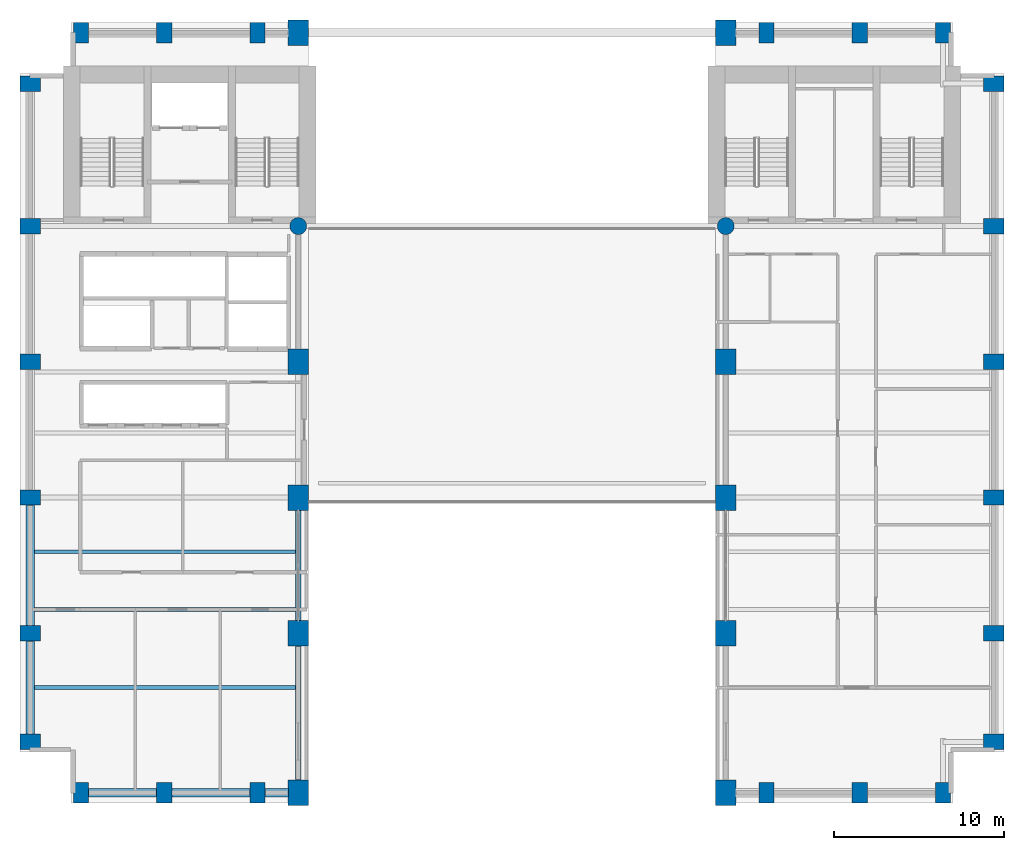
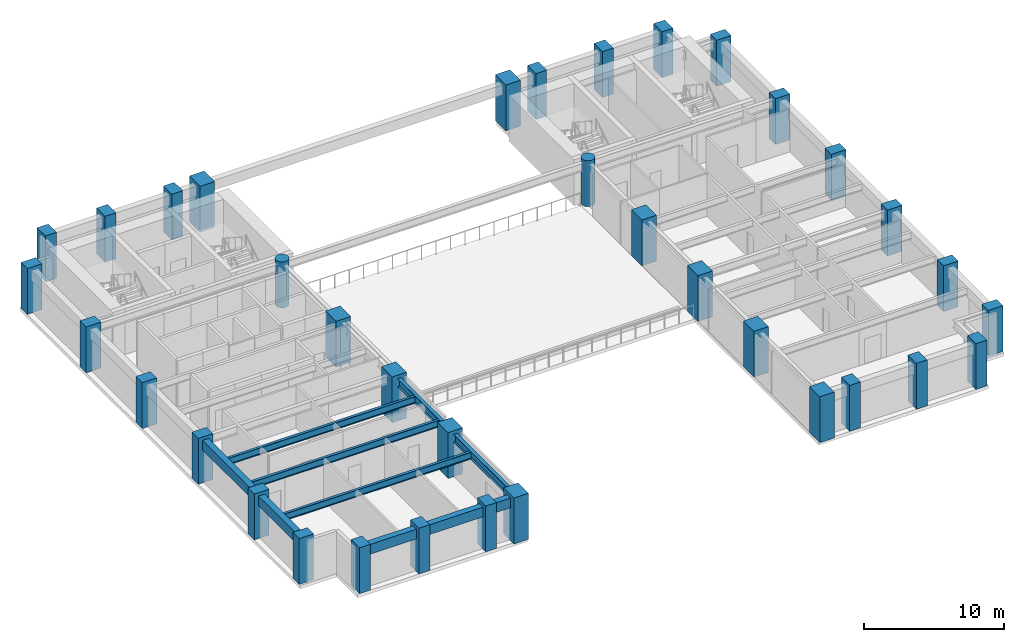
# One storey, part 1 of 12: 36 columns, 9 beams.
"""IFC4 building model written with IfcOpenShell, lengths in metres."""

from ifc_helpers import new_model, si_unit, direction, frame, origin, origin_2d, place, context, subcontext, project, spatial, rectangle, circle, i_section, extrude, material, material_profile, profile_set, type_object, element, save


model = new_model("IFC4")

# Units and contexts
model_context = context("Model", 3, precision=1e-05, world=origin(), true_north=direction((0.0, 1.0)))
body_context = subcontext(model_context, "Body", "Model", "MODEL_VIEW")
ifc_project = project(units=[si_unit("LENGTHUNIT", "METRE"), si_unit("AREAUNIT", "SQUARE_METRE"), si_unit("VOLUMEUNIT", "CUBIC_METRE"), si_unit("PLANEANGLEUNIT", "RADIAN"), si_unit("MASSUNIT", "GRAM", prefix="KILO")], contexts=[model_context])

# Site, building, storey
site_placement = place(None, origin())
site = spatial("IfcSite", under=ifc_project, at=site_placement, CompositionType="ELEMENT")
building_placement = place(site_placement, origin())
building = spatial("IfcBuilding", under=site, at=building_placement, Name="Sulina Concourse Tower", CompositionType="ELEMENT")
storey_placement = place(building_placement, frame((0.0, 0.0, 38.60009765625)))
storey = spatial("IfcBuildingStorey", under=building, at=storey_placement, Name="L09", CompositionType="ELEMENT", Elevation=38.60009765625)

# Columns
ifc_material_1 = material(Name="Concrete C60/75", Category="concrete")
ifc_material_profile_1 = material_profile(ifc_material_1, circle(Radius=0.5, at=origin_2d()), Name="RC D1000")
ifc_profile_set_1 = profile_set([ifc_material_profile_1], Name="Concrete C60/75")
column_type_1 = type_object("IfcColumnType", Name="Lower Interior Circular Column D1000", PredefinedType="COLUMN", material=ifc_profile_set_1)
for number, where, z_axis, x_axis, name in (
    (1, (16.39990234375, 34.0, 0.0), (0.0, 0.0, 1.0), (1.0, 0.0, 0.0), "L09 structural column IC-N-164"),
    (2, (41.60009765625, 34.0, 0.0), (0.0, 0.0, 1.0), (1.0, 0.0, 0.0), "L09 structural column IC-N-416"),
):
    element("IfcColumn", number, at=place(storey_placement, frame(where, z_axis=z_axis, x_axis=x_axis)), inside=storey, type_object=column_type_1, Name=name, PredefinedType="COLUMN", context=body_context, shape_type="SweptSolid", body=[
        extrude(circle(Radius=0.5, at=origin_2d()), origin(), (0.0, 0.0, 1.0), 4.0),
    ])
ifc_material_2 = material(Name="Concrete C80/95", Category="concrete")
ifc_material_profile_2 = material_profile(ifc_material_2, rectangle(XDim=1.199951171875, YDim=1.5, at=origin_2d()), Name="RC 1200x1500")
ifc_profile_set_2 = profile_set([ifc_material_profile_2], Name="Concrete C80/95")
column_type_2 = type_object("IfcColumnType", Name="Lower Portal End-Leg Column 1200x1500", PredefinedType="COLUMN", material=ifc_profile_set_2)
for number, where, z_axis, x_axis, name in (
    (3, (16.39990234375, 0.60009765625, 0.0), (0.0, 0.0, 1.0), (1.0, 0.0, 0.0), "L09 structural column TP-S-164"),
    (4, (16.39990234375, 45.39990234375, 0.0), (0.0, 0.0, 1.0), (1.0, 0.0, 0.0), "L09 structural column TP-N-164"),
    (5, (41.60009765625, 0.60009765625, 0.0), (0.0, 0.0, 1.0), (1.0, 0.0, 0.0), "L09 structural column TP-S-416"),
    (6, (41.60009765625, 45.39990234375, 0.0), (0.0, 0.0, 1.0), (1.0, 0.0, 0.0), "L09 structural column TP-N-416"),
    (7, (16.39990234375, 10.0, 0.0), (0.0, 0.0, 1.0), (1.0, 0.0, 0.0), "L09 structural column LP-FW-10"),
    (8, (41.60009765625, 10.0, 0.0), (0.0, 0.0, 1.0), (1.0, 0.0, 0.0), "L09 structural column LP-FE-10"),
    (9, (16.39990234375, 18.0, 0.0), (0.0, 0.0, 1.0), (1.0, 0.0, 0.0), "L09 structural column LP-FW-18"),
    (10, (41.60009765625, 18.0, 0.0), (0.0, 0.0, 1.0), (1.0, 0.0, 0.0), "L09 structural column LP-FE-18"),
    (11, (16.39990234375, 26.0, 0.0), (0.0, 0.0, 1.0), (1.0, 0.0, 0.0), "L09 structural column LP-FW-26"),
    (12, (41.60009765625, 26.0, 0.0), (0.0, 0.0, 1.0), (1.0, 0.0, 0.0), "L09 structural column LP-FE-26"),
):
    element("IfcColumn", number, at=place(storey_placement, frame(where, z_axis=z_axis, x_axis=x_axis)), inside=storey, type_object=column_type_2, Name=name, PredefinedType="COLUMN", context=body_context, shape_type="SweptSolid", body=[
        extrude(rectangle(XDim=1.199951171875, YDim=1.5, at=origin_2d()), origin(), (0.0, 0.0, 1.0), 4.0),
    ])
ifc_material_3 = material(Name="Precast concrete C60/75", Category="concrete")
ifc_material_profile_3 = material_profile(ifc_material_3, rectangle(XDim=0.89990234375, YDim=1.199951171875, at=origin_2d()), Name="PC 900x1200")
ifc_profile_set_3 = profile_set([ifc_material_profile_3], Name="Precast concrete C60/75")
column_type_3 = type_object("IfcColumnType", Name="Precast Tube Pier Zone 1 900x1200", PredefinedType="COLUMN", material=ifc_profile_set_3)
for number, where, z_axis, x_axis, name in (
    (13, (3.60009765625, 0.60009765625, 0.0), (0.0, 0.0, 1.0), (1.0, 0.0, 0.0), "L09 structural column TP-S-36"),
    (14, (3.60009765625, 45.39990234375, 0.0), (0.0, 0.0, 1.0), (1.0, 0.0, 0.0), "L09 structural column TP-N-36"),
    (15, (8.5, 0.60009765625, 0.0), (0.0, 0.0, 1.0), (1.0, 0.0, 0.0), "L09 structural column TP-S-85"),
    (16, (8.5, 45.39990234375, 0.0), (0.0, 0.0, 1.0), (1.0, 0.0, 0.0), "L09 structural column TP-N-85"),
    (17, (14.0, 0.60009765625, 0.0), (0.0, 0.0, 1.0), (1.0, 0.0, 0.0), "L09 structural column TP-S-140"),
    (18, (14.0, 45.39990234375, 0.0), (0.0, 0.0, 1.0), (1.0, 0.0, 0.0), "L09 structural column TP-N-140"),
    (19, (44.0, 0.60009765625, 0.0), (0.0, 0.0, 1.0), (1.0, 0.0, 0.0), "L09 structural column TP-S-440"),
    (20, (44.0, 45.39990234375, 0.0), (0.0, 0.0, 1.0), (1.0, 0.0, 0.0), "L09 structural column TP-N-440"),
    (21, (49.5, 0.60009765625, 0.0), (0.0, 0.0, 1.0), (1.0, 0.0, 0.0), "L09 structural column TP-S-495"),
    (22, (49.5, 45.39990234375, 0.0), (0.0, 0.0, 1.0), (1.0, 0.0, 0.0), "L09 structural column TP-N-495"),
    (23, (54.39990234375, 0.60009765625, 0.0), (0.0, 0.0, 1.0), (1.0, 0.0, 0.0), "L09 structural column TP-S-544"),
    (24, (54.39990234375, 45.39990234375, 0.0), (0.0, 0.0, 1.0), (1.0, 0.0, 0.0), "L09 structural column TP-N-544"),
    (25, (0.60009765625, 3.60009765625, 0.0), (0.0, 0.0, 1.0), (0.0, 1.0, 0.0), "L09 structural column TP-W-36"),
    (26, (57.39990234375, 3.60009765625, 0.0), (0.0, 0.0, 1.0), (0.0, 1.0, 0.0), "L09 structural column TP-E-36"),
    (27, (0.60009765625, 10.0, 0.0), (0.0, 0.0, 1.0), (0.0, 1.0, 0.0), "L09 structural column TP-W-100"),
    (28, (57.39990234375, 10.0, 0.0), (0.0, 0.0, 1.0), (0.0, 1.0, 0.0), "L09 structural column TP-E-100"),
    (29, (0.60009765625, 18.0, 0.0), (0.0, 0.0, 1.0), (0.0, 1.0, 0.0), "L09 structural column TP-W-180"),
    (30, (57.39990234375, 18.0, 0.0), (0.0, 0.0, 1.0), (0.0, 1.0, 0.0), "L09 structural column TP-E-180"),
    (31, (0.60009765625, 26.0, 0.0), (0.0, 0.0, 1.0), (0.0, 1.0, 0.0), "L09 structural column TP-W-260"),
    (32, (57.39990234375, 26.0, 0.0), (0.0, 0.0, 1.0), (0.0, 1.0, 0.0), "L09 structural column TP-E-260"),
    (33, (0.60009765625, 34.0, 0.0), (0.0, 0.0, 1.0), (0.0, 1.0, 0.0), "L09 structural column TP-W-340"),
    (34, (57.39990234375, 34.0, 0.0), (0.0, 0.0, 1.0), (0.0, 1.0, 0.0), "L09 structural column TP-E-340"),
    (35, (0.60009765625, 42.39990234375, 0.0), (0.0, 0.0, 1.0), (0.0, 1.0, 0.0), "L09 structural column TP-W-424"),
    (36, (57.39990234375, 42.39990234375, 0.0), (0.0, 0.0, 1.0), (0.0, 1.0, 0.0), "L09 structural column TP-E-424"),
):
    element("IfcColumn", number, at=place(storey_placement, frame(where, z_axis=z_axis, x_axis=x_axis)), inside=storey, type_object=column_type_3, Name=name, PredefinedType="COLUMN", context=body_context, shape_type="SweptSolid", body=[
        extrude(rectangle(XDim=0.89990234375, YDim=1.199951171875, at=origin_2d()), origin(), (0.0, 0.0, 1.0), 4.0),
    ])

# Beams
ifc_material_4 = material(Name="Steel S355", Category="steel")
ifc_material_profile_4 = material_profile(ifc_material_4, i_section(OverallWidth=0.219970703125, OverallDepth=0.60009765625, WebThickness=0.011962890625, FlangeThickness=0.01904296875, at=origin_2d()), Name="IPE 600")
ifc_profile_set_4 = profile_set([ifc_material_profile_4], Name="Steel S355")
beam_type_1 = type_object("IfcBeamType", Name="Composite Floor Joist IPE600", PredefinedType="JOIST", material=ifc_profile_set_4)
for number, where, z_axis, x_axis, name in (
    (37, (0.85009765625, 6.800048828125, 3.39990234375), (1.0, 0.0, 0.0), (0.0, 1.0, 0.0), "FJ-J06-1-L09"),
    (38, (0.85009765625, 11.39990234375, 3.39990234375), (1.0, 0.0, 0.0), (0.0, 1.0, 0.0), "FJ-J11-1-L09"),
    (39, (0.85009765625, 14.800048828125, 3.39990234375), (1.0, 0.0, 0.0), (0.0, 1.0, 0.0), "FJ-J15-1-L09"),
):
    element("IfcBeam", number, at=place(storey_placement, frame(where, z_axis=z_axis, x_axis=x_axis)), inside=storey, type_object=beam_type_1, Name=name, PredefinedType="JOIST", context=body_context, shape_type="SweptSolid", body=[
        extrude(i_section(OverallWidth=0.219970703125, OverallDepth=0.60009765625, WebThickness=0.011962890625, FlangeThickness=0.01904296875, at=origin_2d()), origin(), (0.0, 0.0, 1.0), 15.39990234375),
    ])
ifc_material_5 = material(Name="Steel S355", Category="steel")
ifc_material_profile_5 = material_profile(ifc_material_5, i_section(OverallWidth=0.300048828125, OverallDepth=0.699951171875, WebThickness=0.01708984375, FlangeThickness=0.031982421875, at=origin_2d()), Name="HE 700 B")
ifc_profile_set_5 = profile_set([ifc_material_profile_5], Name="Steel S355")
beam_type_2 = type_object("IfcBeamType", Name="Floor Primary Girder Zone 1 HE700B", PredefinedType="BEAM", material=ifc_profile_set_5)
beam_1_placement = place(storey_placement, frame((16.39990234375, 1.179931640625, 3.349853515625), z_axis=(0.0, 1.0, 0.0), x_axis=(-1.0, 0.0, 0.0)))
element("IfcBeam", 40, at=beam_1_placement, inside=storey, type_object=beam_type_2, Name="FG-NSA-16-L09", PredefinedType="BEAM", context=body_context, shape_type="SweptSolid", body=[
    extrude(i_section(OverallWidth=0.300048828125, OverallDepth=0.699951171875, WebThickness=0.01708984375, FlangeThickness=0.031982421875, at=origin_2d()), origin(), (0.0, 0.0, 1.0), 16.239990234375),
])
ifc_material_6 = material(Name="Precast concrete C50/60", Category="concrete")
ifc_material_profile_6 = material_profile(ifc_material_6, rectangle(XDim=0.5, YDim=0.85009765625, at=origin_2d()), Name="RC 500x850")
ifc_profile_set_6 = profile_set([ifc_material_profile_6], Name="Precast concrete C50/60")
beam_type_3 = type_object("IfcBeamType", Name="Lower Precast Spandrel Edge Beam 500x850", PredefinedType="BEAM", material=ifc_profile_set_6)
beam_2_placement = place(storey_placement, frame((4.030029296875, 0.60009765625, 3.27490234375), z_axis=(1.0, 0.0, 0.0), x_axis=(0.0, 1.0, 0.0)))
element("IfcBeam", 41, at=beam_2_placement, inside=storey, type_object=beam_type_3, Name="SP-S1-L09", PredefinedType="BEAM", context=body_context, shape_type="SweptSolid", body=[
    extrude(rectangle(XDim=0.5, YDim=0.85009765625, at=origin_2d()), origin(), (0.0, 0.0, 1.0), 4.0400390625),
])
beam_3_placement = place(storey_placement, frame((8.929931640625, 0.60009765625, 3.27490234375), z_axis=(1.0, 0.0, 0.0), x_axis=(0.0, 1.0, 0.0)))
element("IfcBeam", 42, at=beam_3_placement, inside=storey, type_object=beam_type_3, Name="SP-S2-L09", PredefinedType="BEAM", context=body_context, shape_type="SweptSolid", body=[
    extrude(rectangle(XDim=0.5, YDim=0.85009765625, at=origin_2d()), origin(), (0.0, 0.0, 1.0), 4.64013671875),
])
beam_4_placement = place(storey_placement, frame((14.429931640625, 0.60009765625, 3.27490234375), z_axis=(1.0, 0.0, 0.0), x_axis=(0.0, 1.0, 0.0)))
element("IfcBeam", 43, at=beam_4_placement, inside=storey, type_object=beam_type_3, Name="SP-S3-L09", PredefinedType="BEAM", context=body_context, shape_type="SweptSolid", body=[
    extrude(rectangle(XDim=0.5, YDim=0.85009765625, at=origin_2d()), origin(), (0.0, 0.0, 1.0), 1.39013671875),
])
beam_5_placement = place(storey_placement, frame((0.60009765625, 4.030029296875, 3.27490234375), z_axis=(0.0, 1.0, 0.0), x_axis=(-1.0, 0.0, 0.0)))
element("IfcBeam", 44, at=beam_5_placement, inside=storey, type_object=beam_type_3, Name="SP-W1-L09", PredefinedType="BEAM", context=body_context, shape_type="SweptSolid", body=[
    extrude(rectangle(XDim=0.5, YDim=0.85009765625, at=origin_2d()), origin(), (0.0, 0.0, 1.0), 5.5400390625),
])
beam_6_placement = place(storey_placement, frame((0.60009765625, 10.429931640625, 3.27490234375), z_axis=(0.0, 1.0, 0.0), x_axis=(-1.0, 0.0, 0.0)))
element("IfcBeam", 45, at=beam_6_placement, inside=storey, type_object=beam_type_3, Name="SP-W2-L09", PredefinedType="BEAM", context=body_context, shape_type="SweptSolid", body=[
    extrude(rectangle(XDim=0.5, YDim=0.85009765625, at=origin_2d()), origin(), (0.0, 0.0, 1.0), 7.14013671875),
])

save(model, "model.ifc")
